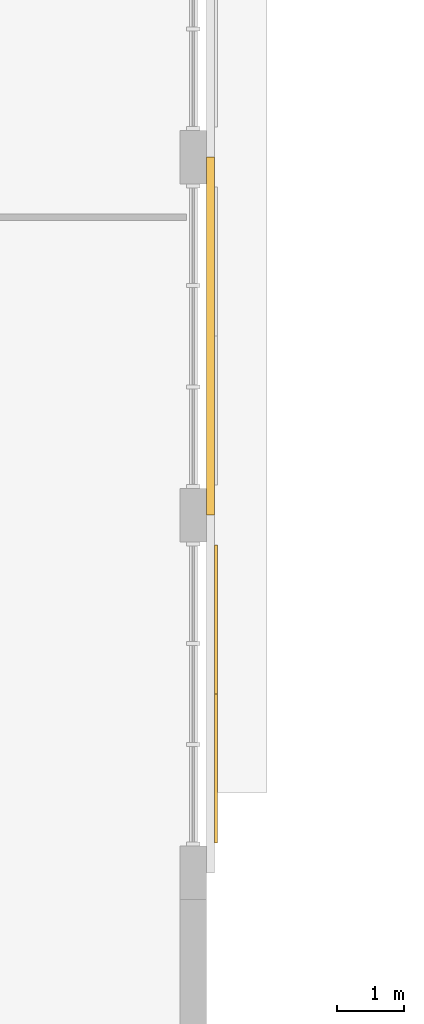
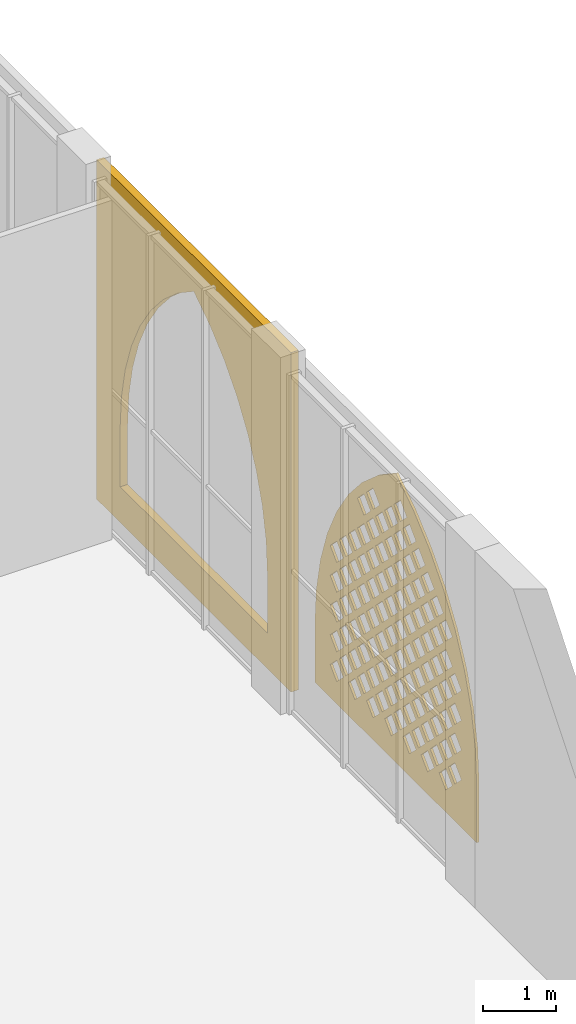
# One storey, part 43 of 74: 2 coverings.
"""IFC4 building model written with IfcOpenShell, lengths in metres."""

from ifc_helpers import new_model, si_unit, direction, frame, origin, place, context, subcontext, project, spatial, polyline, outline, extrude, material, layer, layer_set, type_object, element, save


model = new_model("IFC4")

# Units and contexts
model_context = context("Model", 3, precision=1e-05, world=origin(), true_north=direction((0.0, 1.0)))
body_context = subcontext(model_context, "Body", "Model", "MODEL_VIEW")
ifc_project = project(units=[si_unit("LENGTHUNIT", "METRE"), si_unit("AREAUNIT", "SQUARE_METRE"), si_unit("VOLUMEUNIT", "CUBIC_METRE"), si_unit("PLANEANGLEUNIT", "RADIAN"), si_unit("MASSUNIT", "GRAM", prefix="KILO")], contexts=[model_context])

# Site, building, storey
site_placement = place(None, origin())
site = spatial("IfcSite", under=ifc_project, at=site_placement, CompositionType="ELEMENT")
building_placement = place(site_placement, origin())
building = spatial("IfcBuilding", under=site, at=building_placement, Name="Noorbagh Ring Tower", CompositionType="ELEMENT")
storey_placement = place(building_placement, frame((0.0, 0.0, 13.5)))
storey = spatial("IfcBuildingStorey", under=building, at=storey_placement, Name="L02", CompositionType="ELEMENT", Elevation=13.5)

# Coverings
ifc_material_1 = material(Name="Red sandstone jali", Category="masonry")
ifc_layer_1 = layer(ifc_material_1, 0.0400390625)
ifc_layer_set_1 = layer_set([ifc_layer_1], Name="Red sandstone jali")
covering_type_1 = type_object("IfcCoveringType", Name="STH-JALI", PredefinedType="USERDEFINED", material=ifc_layer_set_1)
covering_1_placement = place(storey_placement, frame((-94.840087890625, 9.449951171875, 0.39990234375), z_axis=(1.0, 0.0, 0.0), x_axis=(0.0, 1.0, 0.0)))
element("IfcCovering", 1, at=covering_1_placement, inside=storey, type_object=covering_type_1, Name="Jali screen", ObjectType="SCREEN", PredefinedType="USERDEFINED", context=body_context, shape_type="SweptSolid", body=[
    extrude(outline(polyline([(0.0, 0.0), (4.449951171875, 0.0), (4.449951171875, 1.0), (4.411865234375, 1.580810546875), (4.29833984375, 2.15185546875), (4.111328125, 2.702880859375), (3.853759765625, 3.22509765625), (3.530517578125, 3.708984375), (3.146728515625, 4.146728515625), (2.708984375, 4.530517578125), (2.22509765625, 4.85400390625), (1.740966796875, 4.530517578125), (1.303466796875, 4.146728515625), (0.919677734375, 3.708984375), (0.59619140625, 3.22509765625), (0.3388671875, 2.702880859375), (0.151611328125, 2.15185546875), (0.0380859375, 1.580810546875), (0.0, 1.0), (0.0, 0.0)]), holes=[polyline([(0.669921875, 0.552001953125), (0.85009765625, 0.371826171875), (1.030029296875, 0.552001953125), (0.85009765625, 0.73193359375), (0.669921875, 0.552001953125)]), polyline([(1.169921875, 0.552001953125), (1.35009765625, 0.371826171875), (1.530029296875, 0.552001953125), (1.35009765625, 0.73193359375), (1.169921875, 0.552001953125)]), polyline([(1.669921875, 0.552001953125), (1.85009765625, 0.371826171875), (2.030029296875, 0.552001953125), (1.85009765625, 0.73193359375), (1.669921875, 0.552001953125)]), polyline([(2.169921875, 0.552001953125), (2.35009765625, 0.371826171875), (2.530029296875, 0.552001953125), (2.35009765625, 0.73193359375), (2.169921875, 0.552001953125)]), polyline([(2.669921875, 0.552001953125), (2.85009765625, 0.371826171875), (3.030029296875, 0.552001953125), (2.85009765625, 0.73193359375), (2.669921875, 0.552001953125)]), polyline([(3.169921875, 0.552001953125), (3.35009765625, 0.371826171875), (3.530029296875, 0.552001953125), (3.35009765625, 0.73193359375), (3.169921875, 0.552001953125)]), polyline([(3.669921875, 0.552001953125), (3.85009765625, 0.371826171875), (4.030029296875, 0.552001953125), (3.85009765625, 0.73193359375), (3.669921875, 0.552001953125)]), polyline([(0.419921875, 0.802001953125), (0.60009765625, 0.621826171875), (0.780029296875, 0.802001953125), (0.60009765625, 0.98193359375), (0.419921875, 0.802001953125)]), polyline([(0.919921875, 0.802001953125), (1.10009765625, 0.621826171875), (1.280029296875, 0.802001953125), (1.10009765625, 0.98193359375), (0.919921875, 0.802001953125)]), polyline([(1.419921875, 0.802001953125), (1.60009765625, 0.621826171875), (1.780029296875, 0.802001953125), (1.60009765625, 0.98193359375), (1.419921875, 0.802001953125)]), polyline([(1.919921875, 0.802001953125), (2.10009765625, 0.621826171875), (2.280029296875, 0.802001953125), (2.10009765625, 0.98193359375), (1.919921875, 0.802001953125)]), polyline([(2.419921875, 0.802001953125), (2.60009765625, 0.621826171875), (2.780029296875, 0.802001953125), (2.60009765625, 0.98193359375), (2.419921875, 0.802001953125)]), polyline([(2.919921875, 0.802001953125), (3.10009765625, 0.621826171875), (3.280029296875, 0.802001953125), (3.10009765625, 0.98193359375), (2.919921875, 0.802001953125)]), polyline([(3.419921875, 0.802001953125), (3.60009765625, 0.621826171875), (3.780029296875, 0.802001953125), (3.60009765625, 0.98193359375), (3.419921875, 0.802001953125)]), polyline([(0.669921875, 1.052001953125), (0.85009765625, 0.871826171875), (1.030029296875, 1.052001953125), (0.85009765625, 1.23193359375), (0.669921875, 1.052001953125)]), polyline([(1.169921875, 1.052001953125), (1.35009765625, 0.871826171875), (1.530029296875, 1.052001953125), (1.35009765625, 1.23193359375), (1.169921875, 1.052001953125)]), polyline([(1.669921875, 1.052001953125), (1.85009765625, 0.871826171875), (2.030029296875, 1.052001953125), (1.85009765625, 1.23193359375), (1.669921875, 1.052001953125)]), polyline([(2.169921875, 1.052001953125), (2.35009765625, 0.871826171875), (2.530029296875, 1.052001953125), (2.35009765625, 1.23193359375), (2.169921875, 1.052001953125)]), polyline([(2.669921875, 1.052001953125), (2.85009765625, 0.871826171875), (3.030029296875, 1.052001953125), (2.85009765625, 1.23193359375), (2.669921875, 1.052001953125)]), polyline([(3.169921875, 1.052001953125), (3.35009765625, 0.871826171875), (3.530029296875, 1.052001953125), (3.35009765625, 1.23193359375), (3.169921875, 1.052001953125)]), polyline([(3.669921875, 1.052001953125), (3.85009765625, 0.871826171875), (4.030029296875, 1.052001953125), (3.85009765625, 1.23193359375), (3.669921875, 1.052001953125)]), polyline([(0.419921875, 1.302001953125), (0.60009765625, 1.121826171875), (0.780029296875, 1.302001953125), (0.60009765625, 1.48193359375), (0.419921875, 1.302001953125)]), polyline([(0.919921875, 1.302001953125), (1.10009765625, 1.121826171875), (1.280029296875, 1.302001953125), (1.10009765625, 1.48193359375), (0.919921875, 1.302001953125)]), polyline([(1.419921875, 1.302001953125), (1.60009765625, 1.121826171875), (1.780029296875, 1.302001953125), (1.60009765625, 1.48193359375), (1.419921875, 1.302001953125)]), polyline([(1.919921875, 1.302001953125), (2.10009765625, 1.121826171875), (2.280029296875, 1.302001953125), (2.10009765625, 1.48193359375), (1.919921875, 1.302001953125)]), polyline([(2.419921875, 1.302001953125), (2.60009765625, 1.121826171875), (2.780029296875, 1.302001953125), (2.60009765625, 1.48193359375), (2.419921875, 1.302001953125)]), polyline([(2.919921875, 1.302001953125), (3.10009765625, 1.121826171875), (3.280029296875, 1.302001953125), (3.10009765625, 1.48193359375), (2.919921875, 1.302001953125)]), polyline([(3.419921875, 1.302001953125), (3.60009765625, 1.121826171875), (3.780029296875, 1.302001953125), (3.60009765625, 1.48193359375), (3.419921875, 1.302001953125)]), polyline([(0.669921875, 1.552001953125), (0.85009765625, 1.371826171875), (1.030029296875, 1.552001953125), (0.85009765625, 1.73193359375), (0.669921875, 1.552001953125)]), polyline([(1.169921875, 1.552001953125), (1.35009765625, 1.371826171875), (1.530029296875, 1.552001953125), (1.35009765625, 1.73193359375), (1.169921875, 1.552001953125)]), polyline([(1.669921875, 1.552001953125), (1.85009765625, 1.371826171875), (2.030029296875, 1.552001953125), (1.85009765625, 1.73193359375), (1.669921875, 1.552001953125)]), polyline([(2.169921875, 1.552001953125), (2.35009765625, 1.371826171875), (2.530029296875, 1.552001953125), (2.35009765625, 1.73193359375), (2.169921875, 1.552001953125)]), polyline([(2.669921875, 1.552001953125), (2.85009765625, 1.371826171875), (3.030029296875, 1.552001953125), (2.85009765625, 1.73193359375), (2.669921875, 1.552001953125)]), polyline([(3.169921875, 1.552001953125), (3.35009765625, 1.371826171875), (3.530029296875, 1.552001953125), (3.35009765625, 1.73193359375), (3.169921875, 1.552001953125)]), polyline([(3.669921875, 1.552001953125), (3.85009765625, 1.371826171875), (4.030029296875, 1.552001953125), (3.85009765625, 1.73193359375), (3.669921875, 1.552001953125)]), polyline([(0.419921875, 1.802001953125), (0.60009765625, 1.621826171875), (0.780029296875, 1.802001953125), (0.60009765625, 1.98193359375), (0.419921875, 1.802001953125)]), polyline([(0.919921875, 1.802001953125), (1.10009765625, 1.621826171875), (1.280029296875, 1.802001953125), (1.10009765625, 1.98193359375), (0.919921875, 1.802001953125)]), polyline([(1.419921875, 1.802001953125), (1.60009765625, 1.621826171875), (1.780029296875, 1.802001953125), (1.60009765625, 1.98193359375), (1.419921875, 1.802001953125)]), polyline([(1.919921875, 1.802001953125), (2.10009765625, 1.621826171875), (2.280029296875, 1.802001953125), (2.10009765625, 1.98193359375), (1.919921875, 1.802001953125)]), polyline([(2.419921875, 1.802001953125), (2.60009765625, 1.621826171875), (2.780029296875, 1.802001953125), (2.60009765625, 1.98193359375), (2.419921875, 1.802001953125)]), polyline([(2.919921875, 1.802001953125), (3.10009765625, 1.621826171875), (3.280029296875, 1.802001953125), (3.10009765625, 1.98193359375), (2.919921875, 1.802001953125)]), polyline([(3.419921875, 1.802001953125), (3.60009765625, 1.621826171875), (3.780029296875, 1.802001953125), (3.60009765625, 1.98193359375), (3.419921875, 1.802001953125)]), polyline([(0.669921875, 2.052001953125), (0.85009765625, 1.871826171875), (1.030029296875, 2.052001953125), (0.85009765625, 2.23193359375), (0.669921875, 2.052001953125)]), polyline([(1.169921875, 2.052001953125), (1.35009765625, 1.871826171875), (1.530029296875, 2.052001953125), (1.35009765625, 2.23193359375), (1.169921875, 2.052001953125)]), polyline([(1.669921875, 2.052001953125), (1.85009765625, 1.871826171875), (2.030029296875, 2.052001953125), (1.85009765625, 2.23193359375), (1.669921875, 2.052001953125)]), polyline([(2.169921875, 2.052001953125), (2.35009765625, 1.871826171875), (2.530029296875, 2.052001953125), (2.35009765625, 2.23193359375), (2.169921875, 2.052001953125)]), polyline([(2.669921875, 2.052001953125), (2.85009765625, 1.871826171875), (3.030029296875, 2.052001953125), (2.85009765625, 2.23193359375), (2.669921875, 2.052001953125)]), polyline([(3.169921875, 2.052001953125), (3.35009765625, 1.871826171875), (3.530029296875, 2.052001953125), (3.35009765625, 2.23193359375), (3.169921875, 2.052001953125)]), polyline([(3.669921875, 2.052001953125), (3.85009765625, 1.871826171875), (4.030029296875, 2.052001953125), (3.85009765625, 2.23193359375), (3.669921875, 2.052001953125)]), polyline([(0.419921875, 2.302001953125), (0.60009765625, 2.121826171875), (0.780029296875, 2.302001953125), (0.60009765625, 2.48193359375), (0.419921875, 2.302001953125)]), polyline([(0.919921875, 2.302001953125), (1.10009765625, 2.121826171875), (1.280029296875, 2.302001953125), (1.10009765625, 2.48193359375), (0.919921875, 2.302001953125)]), polyline([(1.419921875, 2.302001953125), (1.60009765625, 2.121826171875), (1.780029296875, 2.302001953125), (1.60009765625, 2.48193359375), (1.419921875, 2.302001953125)]), polyline([(1.919921875, 2.302001953125), (2.10009765625, 2.121826171875), (2.280029296875, 2.302001953125), (2.10009765625, 2.48193359375), (1.919921875, 2.302001953125)]), polyline([(2.419921875, 2.302001953125), (2.60009765625, 2.121826171875), (2.780029296875, 2.302001953125), (2.60009765625, 2.48193359375), (2.419921875, 2.302001953125)]), polyline([(2.919921875, 2.302001953125), (3.10009765625, 2.121826171875), (3.280029296875, 2.302001953125), (3.10009765625, 2.48193359375), (2.919921875, 2.302001953125)]), polyline([(3.419921875, 2.302001953125), (3.60009765625, 2.121826171875), (3.780029296875, 2.302001953125), (3.60009765625, 2.48193359375), (3.419921875, 2.302001953125)]), polyline([(0.669921875, 2.552001953125), (0.85009765625, 2.371826171875), (1.030029296875, 2.552001953125), (0.85009765625, 2.73193359375), (0.669921875, 2.552001953125)]), polyline([(1.169921875, 2.552001953125), (1.35009765625, 2.371826171875), (1.530029296875, 2.552001953125), (1.35009765625, 2.73193359375), (1.169921875, 2.552001953125)]), polyline([(1.669921875, 2.552001953125), (1.85009765625, 2.371826171875), (2.030029296875, 2.552001953125), (1.85009765625, 2.73193359375), (1.669921875, 2.552001953125)]), polyline([(2.169921875, 2.552001953125), (2.35009765625, 2.371826171875), (2.530029296875, 2.552001953125), (2.35009765625, 2.73193359375), (2.169921875, 2.552001953125)]), polyline([(2.669921875, 2.552001953125), (2.85009765625, 2.371826171875), (3.030029296875, 2.552001953125), (2.85009765625, 2.73193359375), (2.669921875, 2.552001953125)]), polyline([(3.169921875, 2.552001953125), (3.35009765625, 2.371826171875), (3.530029296875, 2.552001953125), (3.35009765625, 2.73193359375), (3.169921875, 2.552001953125)]), polyline([(3.669921875, 2.552001953125), (3.85009765625, 2.371826171875), (4.030029296875, 2.552001953125), (3.85009765625, 2.73193359375), (3.669921875, 2.552001953125)]), polyline([(0.919921875, 2.802001953125), (1.10009765625, 2.621826171875), (1.280029296875, 2.802001953125), (1.10009765625, 2.98193359375), (0.919921875, 2.802001953125)]), polyline([(1.419921875, 2.802001953125), (1.60009765625, 2.621826171875), (1.780029296875, 2.802001953125), (1.60009765625, 2.98193359375), (1.419921875, 2.802001953125)]), polyline([(1.919921875, 2.802001953125), (2.10009765625, 2.621826171875), (2.280029296875, 2.802001953125), (2.10009765625, 2.98193359375), (1.919921875, 2.802001953125)]), polyline([(2.419921875, 2.802001953125), (2.60009765625, 2.621826171875), (2.780029296875, 2.802001953125), (2.60009765625, 2.98193359375), (2.419921875, 2.802001953125)]), polyline([(2.919921875, 2.802001953125), (3.10009765625, 2.621826171875), (3.280029296875, 2.802001953125), (3.10009765625, 2.98193359375), (2.919921875, 2.802001953125)]), polyline([(3.419921875, 2.802001953125), (3.60009765625, 2.621826171875), (3.780029296875, 2.802001953125), (3.60009765625, 2.98193359375), (3.419921875, 2.802001953125)]), polyline([(0.669921875, 3.052001953125), (0.85009765625, 2.871826171875), (1.030029296875, 3.052001953125), (0.85009765625, 3.23193359375), (0.669921875, 3.052001953125)]), polyline([(1.169921875, 3.052001953125), (1.35009765625, 2.871826171875), (1.530029296875, 3.052001953125), (1.35009765625, 3.23193359375), (1.169921875, 3.052001953125)]), polyline([(1.669921875, 3.052001953125), (1.85009765625, 2.871826171875), (2.030029296875, 3.052001953125), (1.85009765625, 3.23193359375), (1.669921875, 3.052001953125)]), polyline([(2.169921875, 3.052001953125), (2.35009765625, 2.871826171875), (2.530029296875, 3.052001953125), (2.35009765625, 3.23193359375), (2.169921875, 3.052001953125)]), polyline([(2.669921875, 3.052001953125), (2.85009765625, 2.871826171875), (3.030029296875, 3.052001953125), (2.85009765625, 3.23193359375), (2.669921875, 3.052001953125)]), polyline([(3.169921875, 3.052001953125), (3.35009765625, 2.871826171875), (3.530029296875, 3.052001953125), (3.35009765625, 3.23193359375), (3.169921875, 3.052001953125)]), polyline([(0.919921875, 3.302001953125), (1.10009765625, 3.121826171875), (1.280029296875, 3.302001953125), (1.10009765625, 3.48193359375), (0.919921875, 3.302001953125)]), polyline([(1.419921875, 3.302001953125), (1.60009765625, 3.121826171875), (1.780029296875, 3.302001953125), (1.60009765625, 3.48193359375), (1.419921875, 3.302001953125)]), polyline([(1.919921875, 3.302001953125), (2.10009765625, 3.121826171875), (2.280029296875, 3.302001953125), (2.10009765625, 3.48193359375), (1.919921875, 3.302001953125)]), polyline([(2.419921875, 3.302001953125), (2.60009765625, 3.121826171875), (2.780029296875, 3.302001953125), (2.60009765625, 3.48193359375), (2.419921875, 3.302001953125)]), polyline([(2.919921875, 3.302001953125), (3.10009765625, 3.121826171875), (3.280029296875, 3.302001953125), (3.10009765625, 3.48193359375), (2.919921875, 3.302001953125)]), polyline([(1.169921875, 3.552001953125), (1.35009765625, 3.371826171875), (1.530029296875, 3.552001953125), (1.35009765625, 3.73193359375), (1.169921875, 3.552001953125)]), polyline([(1.669921875, 3.552001953125), (1.85009765625, 3.371826171875), (2.030029296875, 3.552001953125), (1.85009765625, 3.73193359375), (1.669921875, 3.552001953125)]), polyline([(2.169921875, 3.552001953125), (2.35009765625, 3.371826171875), (2.530029296875, 3.552001953125), (2.35009765625, 3.73193359375), (2.169921875, 3.552001953125)]), polyline([(2.669921875, 3.552001953125), (2.85009765625, 3.371826171875), (3.030029296875, 3.552001953125), (2.85009765625, 3.73193359375), (2.669921875, 3.552001953125)]), polyline([(1.419921875, 3.802001953125), (1.60009765625, 3.621826171875), (1.780029296875, 3.802001953125), (1.60009765625, 3.98193359375), (1.419921875, 3.802001953125)]), polyline([(1.919921875, 3.802001953125), (2.10009765625, 3.621826171875), (2.280029296875, 3.802001953125), (2.10009765625, 3.98193359375), (1.919921875, 3.802001953125)]), polyline([(2.419921875, 3.802001953125), (2.60009765625, 3.621826171875), (2.780029296875, 3.802001953125), (2.60009765625, 3.98193359375), (2.419921875, 3.802001953125)]), polyline([(2.919921875, 3.802001953125), (3.10009765625, 3.621826171875), (3.280029296875, 3.802001953125), (3.10009765625, 3.98193359375), (2.919921875, 3.802001953125)]), polyline([(1.669921875, 4.052001953125), (1.85009765625, 3.871826171875), (2.030029296875, 4.052001953125), (1.85009765625, 4.23193359375), (1.669921875, 4.052001953125)]), polyline([(2.169921875, 4.052001953125), (2.35009765625, 3.871826171875), (2.530029296875, 4.052001953125), (2.35009765625, 4.23193359375), (2.169921875, 4.052001953125)]), polyline([(2.669921875, 4.052001953125), (2.85009765625, 3.871826171875), (3.030029296875, 4.052001953125), (2.85009765625, 4.23193359375), (2.669921875, 4.052001953125)]), polyline([(1.919921875, 4.302001953125), (2.10009765625, 4.121826171875), (2.280029296875, 4.302001953125), (2.10009765625, 4.48193359375), (1.919921875, 4.302001953125)])]), origin(), (0.0, 0.0, -1.0), 0.0400390625),
])
ifc_material_2 = material(Name="Red sandstone cladding", Category="masonry")
ifc_layer_2 = layer(ifc_material_2, 0.1201171875)
ifc_layer_set_2 = layer_set([ifc_layer_2], Name="Red sandstone cladding")
covering_type_2 = type_object("IfcCoveringType", Name="STH-SPANDREL", PredefinedType="USERDEFINED", material=ifc_layer_set_2)
covering_2_placement = place(storey_placement, frame((-94.8798828125, 14.35009765625, 0.0), z_axis=(1.0, 0.0, 0.0), x_axis=(0.0, 1.0, 0.0)))
element("IfcCovering", 2, at=covering_2_placement, inside=storey, type_object=covering_type_2, Name="Arch spandrel", ObjectType="ARCH", PredefinedType="USERDEFINED", context=body_context, shape_type="SweptSolid", body=[
    extrude(outline(polyline([(0.0, 0.0), (5.349853515625, 0.0), (5.349853515625, 5.699951171875), (0.0, 5.699951171875), (0.0, 0.0)]), holes=[polyline([(0.64990234375, 0.60009765625), (0.64990234375, 1.60009765625), (0.6845703125, 2.128662109375), (0.7880859375, 2.648193359375), (0.958251953125, 3.14990234375), (1.192626953125, 3.625), (1.48681640625, 4.0654296875), (1.836181640625, 4.4638671875), (2.234619140625, 4.81298828125), (2.675048828125, 5.107421875), (3.115478515625, 4.81298828125), (3.513916015625, 4.4638671875), (3.863037109375, 4.0654296875), (4.157470703125, 3.625), (4.3916015625, 3.14990234375), (4.56201171875, 2.648193359375), (4.665283203125, 2.128662109375), (4.699951171875, 1.60009765625), (4.699951171875, 0.60009765625), (0.64990234375, 0.60009765625)])]), origin(), (0.0, 0.0, -1.0), 0.1201171875),
])

save(model, "model.ifc")
